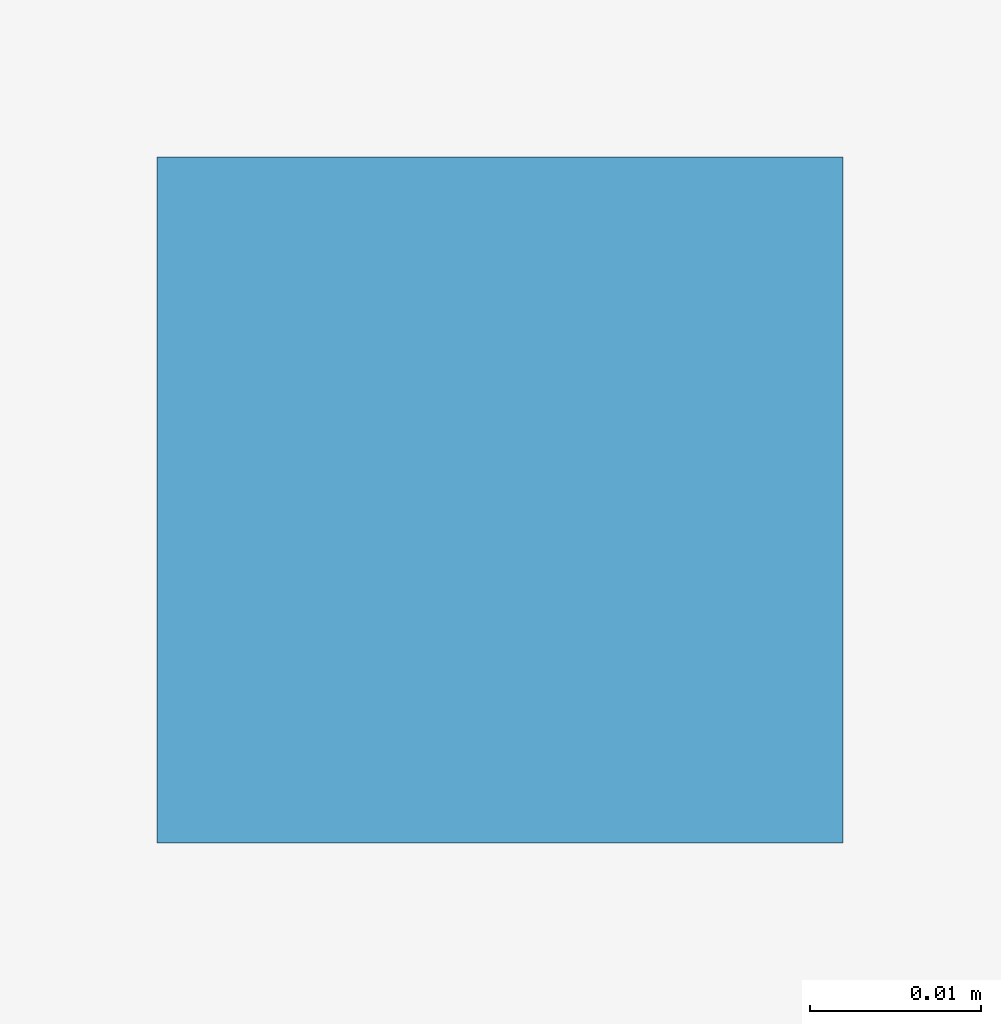
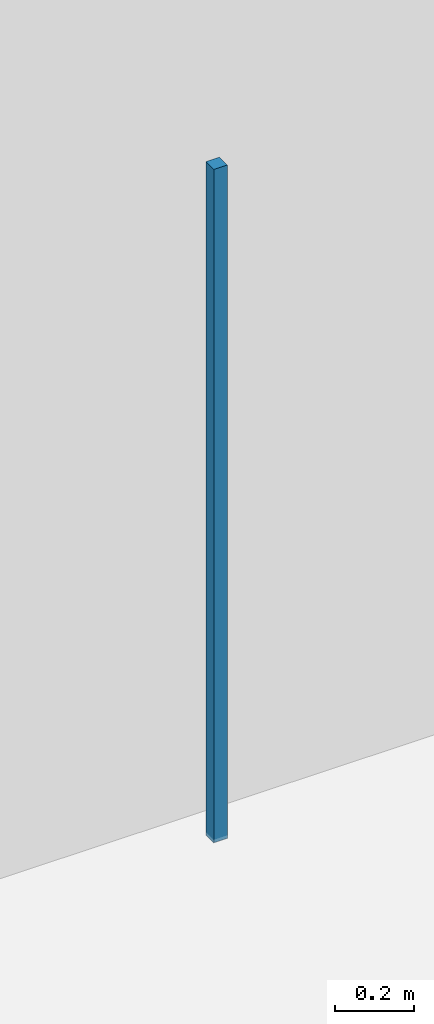
# One storey, part 102 of 167: 1 discrete accessory.
"""IFC4 building model written with IfcOpenShell, lengths in metres."""

import ifcopenshell
import ifcopenshell.guid

model = None  # the IFC model being written
_history = None  # IfcOwnerHistory: only IFC2X3 demands one
_inside = {}  # id of a spatial element -> (the spatial element, [elements in it])
_under = {}  # id of a project, library or spatial element -> (it, [spatial elements below it])
_declared = {}  # id of a project -> (the project, [libraries it declares])
_typed = {}  # id of a type object -> (the type object, [elements of that type])
_made_of = {}  # id of a material, layer set ... -> (it, [elements and type objects made of it])


def new_model(schema):
    """Start an empty IFC model of exactly this schema.

    Asked for "IFC4X3", IfcOpenShell would pick the latest addendum, in which some entities
    have other attributes; the version numbers below select the first issue.
    IFC2X3 requires an IfcOwnerHistory on every rooted entity: one is made here for all.
    """
    global model, _history
    if schema == "IFC4X3":
        model = ifcopenshell.file(schema_version=(4, 3, 0, 0))
    else:
        model = ifcopenshell.file(schema=schema)
    _inside.clear()
    _under.clear()
    _declared.clear()
    _typed.clear()
    _made_of.clear()
    _history = None
    if model.schema == "IFC2X3":
        org = make("IfcOrganization", Name="unknown")
        user = make(
            "IfcPersonAndOrganization",
            ThePerson=make("IfcPerson", FamilyName="unknown"),
            TheOrganization=org,
        )
        app = make(
            "IfcApplication",
            ApplicationDeveloper=org,
            Version="unknown",
            ApplicationFullName="unknown",
            ApplicationIdentifier="unknown",
        )
        _history = make(
            "IfcOwnerHistory",
            OwningUser=user,
            OwningApplication=app,
            ChangeAction="ADDED",
            CreationDate=0,
        )
    return model


def make(cls, **values):
    """One entity of the class cls with the attributes given. An attribute that is None is left unset."""
    return model.create_entity(
        cls, **{name: value for name, value in values.items() if value is not None}
    )


def rooted(cls, **values):
    """An entity with a GlobalId (a new one), such as an element, a storey or a relation."""
    return make(cls, GlobalId=ifcopenshell.guid.new(), OwnerHistory=_history, **values)


def si_unit(unit_type, name, prefix=None):
    """IfcSIUnit, for example si_unit("LENGTHUNIT", "METRE", prefix="MILLI")."""
    return make("IfcSIUnit", UnitType=unit_type, Prefix=prefix, Name=name)


def assignment(units):
    """IfcUnitAssignment: the units of a project."""
    return None if units is None else make("IfcUnitAssignment", Units=units)


def point(xyz):
    """IfcCartesianPoint."""
    return None if xyz is None else make("IfcCartesianPoint", Coordinates=xyz)


def direction(xyz):
    """IfcDirection."""
    return None if xyz is None else make("IfcDirection", DirectionRatios=xyz)


def frame(location, z_axis=None, x_axis=None):
    """IfcAxis2Placement3D, a coordinate frame: its origin and axes. An axis left out is left unset."""
    return make(
        "IfcAxis2Placement3D",
        Location=point(location),
        Axis=direction(z_axis),
        RefDirection=direction(x_axis),
    )


def frame_2d(location, x_axis=None):
    """IfcAxis2Placement2D, a coordinate frame in the plane: its origin and x axis."""
    return make(
        "IfcAxis2Placement2D", Location=point(location), RefDirection=direction(x_axis)
    )


def origin():
    """The frame at (0, 0, 0) with its axes left unset."""
    return frame((0.0, 0.0, 0.0))


def origin_2d():
    """The frame at (0, 0) in the plane with its x axis left unset."""
    return frame_2d((0.0, 0.0))


def place(relative_to, where):
    """IfcLocalPlacement: puts the frame where relative to a parent placement (None: the world)."""
    return make(
        "IfcLocalPlacement", PlacementRelTo=relative_to, RelativePlacement=where
    )


def context(
    kind, dimensions, precision=None, world=None, true_north=None, identifier=None
):
    """IfcGeometricRepresentationContext, for example the 3D "Model" context."""
    return make(
        "IfcGeometricRepresentationContext",
        ContextIdentifier=identifier,
        ContextType=kind,
        CoordinateSpaceDimension=dimensions,
        Precision=precision,
        WorldCoordinateSystem=world,
        TrueNorth=true_north,
    )


def subcontext(parent, identifier, kind, view, scale=None):
    """IfcGeometricRepresentationSubContext, for example "Body" below "Model"."""
    return make(
        "IfcGeometricRepresentationSubContext",
        ContextIdentifier=identifier,
        ContextType=kind,
        ParentContext=parent,
        TargetScale=scale,
        TargetView=view,
    )


def project(units=None, contexts=None):
    """IfcProject with its units and contexts."""
    return rooted(
        "IfcProject",
        Name="project",
        RepresentationContexts=contexts,
        UnitsInContext=assignment(units),
    )


def spatial(cls, under=None, at=None, **own):
    """A site, building, storey or space (cls), placed at a placement, below another one or the project."""
    s = rooted(cls, ObjectPlacement=at, **own)
    if under is not None:
        _under.setdefault(under.id(), (under, []))[1].append(s)
    return s


def profile(cls, at=None, kind="AREA", **sizes):
    """A parametric profile (cls). Its sizes go by their IFC names, for example OverallWidth=200.0."""
    return make(cls, ProfileType=kind, Position=at, **sizes)


def rectangle(**sizes):
    """IfcRectangleProfileDef."""
    return profile("IfcRectangleProfileDef", **sizes)


def extrude(swept, where, along, depth):
    """IfcExtrudedAreaSolid: the profile swept, set in the frame where, extruded along a direction by depth."""
    return make(
        "IfcExtrudedAreaSolid",
        SweptArea=swept,
        Position=where,
        ExtrudedDirection=direction(along),
        Depth=depth,
    )


def shape(context_of_items, identifier, shape_type, items):
    """IfcShapeRepresentation: the items that make up one representation, for example the "Body"."""
    return make(
        "IfcShapeRepresentation",
        ContextOfItems=context_of_items,
        RepresentationIdentifier=identifier,
        RepresentationType=shape_type,
        Items=items,
    )


def material(Name=None, Category=None):
    """IfcMaterial."""
    return make("IfcMaterial", Name=Name, Category=Category)


def made_of(thing, what):
    """Note that an element or type object is made of a material, layer set ...; save() writes the relation."""
    if what is not None:
        _made_of.setdefault(what.id(), (what, []))[1].append(thing)
    return thing


def type_object(cls, material=None, **own):
    """A type object (cls), such as IfcWallType, which elements share."""
    return made_of(rooted(cls, **own), material)


def element(
    cls,
    number,
    at=None,
    inside=None,
    cuts=None,
    type_object=None,
    material=None,
    context=None,
    identifier="Body",
    shape_type=None,
    held_by="IfcProductDefinitionShape",
    body=None,
    shapes=None,
    **own,
):
    """One element of the class cls, such as IfcWall. Its Tag is "e" and its number.

    at: its placement. inside: the storey or other place that contains it. cuts: it is an
    opening in that element (IfcRelVoidsElement). A single representation is given by context,
    identifier, shape_type and body (its items); several are given by shapes. held_by: the class
    of the entity that holds the representations. save() writes the other relations.
    """
    e = rooted(cls, Tag="e%d" % number, ObjectPlacement=at, **own)
    if body is not None:
        shapes = [shape(context, identifier, shape_type, body)]
    if shapes is not None:
        e.Representation = make(held_by, Representations=shapes)
    if inside is not None:
        _inside.setdefault(inside.id(), (inside, []))[1].append(e)
    if cuts is not None:
        rooted(
            "IfcRelVoidsElement", RelatingBuildingElement=cuts, RelatedOpeningElement=e
        )
    if type_object is not None:
        _typed.setdefault(type_object.id(), (type_object, []))[1].append(e)
    return made_of(e, material)


def aggregate(whole, parts):
    """IfcRelAggregates: a whole, such as a stair, and the parts it consists of."""
    return rooted("IfcRelAggregates", RelatingObject=whole, RelatedObjects=parts)


def save(model, path):
    """Write the relations noted so far, then the file.

    IfcRelAggregates (storeys below a building ...), IfcRelContainedInSpatialStructure (elements
    in a storey), IfcRelDefinesByType, IfcRelAssociatesMaterial and IfcRelDeclares: one each for
    every whole, place, type object, material and project.
    """
    for whole, parts in _under.values():
        aggregate(whole, parts)
    for where, things in _inside.values():
        rooted(
            "IfcRelContainedInSpatialStructure",
            RelatedElements=things,
            RelatingStructure=where,
        )
    for kind, things in _typed.values():
        rooted("IfcRelDefinesByType", RelatedObjects=things, RelatingType=kind)
    for what, things in _made_of.values():
        rooted("IfcRelAssociatesMaterial", RelatedObjects=things, RelatingMaterial=what)
    for by, libraries in _declared.values():
        rooted("IfcRelDeclares", RelatingContext=by, RelatedDefinitions=libraries)
    model.write(path)


model = new_model("IFC4")

# Units and contexts
model_context = context("Model", 3, precision=1e-05, world=origin(), true_north=direction((0.0, 1.0)))
body_context = subcontext(model_context, "Body", "Model", "MODEL_VIEW")
ifc_project = project(units=[si_unit("LENGTHUNIT", "METRE"), si_unit("AREAUNIT", "SQUARE_METRE"), si_unit("VOLUMEUNIT", "CUBIC_METRE"), si_unit("PLANEANGLEUNIT", "RADIAN"), si_unit("MASSUNIT", "GRAM", prefix="KILO")], contexts=[model_context])

# Site, building, storey
site_placement = place(None, origin())
site = spatial("IfcSite", under=ifc_project, at=site_placement, CompositionType="ELEMENT")
building_placement = place(site_placement, origin())
building = spatial("IfcBuilding", under=site, at=building_placement, Name="Varncliffe General Hospital", CompositionType="ELEMENT")
storey_placement = place(building_placement, origin())
storey = spatial("IfcBuildingStorey", under=building, at=storey_placement, Name="L00", CompositionType="ELEMENT", Elevation=0.0)

# Discrete accessory
ifc_material = material(Name="Powder-coated hospital steel guardrail and handrail", Category="steel")
discrete_accessory_type = type_object("IfcDiscreteAccessoryType", Name="Suspended Ceiling Hanger Bracket CH01", PredefinedType="BRACKET", material=ifc_material)
discrete_accessory_placement = place(storey_placement, frame((3.199951171875, 120.60009765625, 3.18994140625), z_axis=(0.0, 0.0, 1.0), x_axis=(1.0, 0.0, 0.0)))
element("IfcDiscreteAccessory", 1, at=discrete_accessory_placement, inside=storey, type_object=discrete_accessory_type, Name="L00 Suspended Ceiling Hanger 96", PredefinedType="BRACKET", context=body_context, shape_type="SweptSolid", body=[
    extrude(rectangle(XDim=0.0400390625, YDim=0.0400390625, at=origin_2d()), origin(), (0.0, 0.0, 1.0), 2.090087890625),
])

save(model, "model.ifc")
